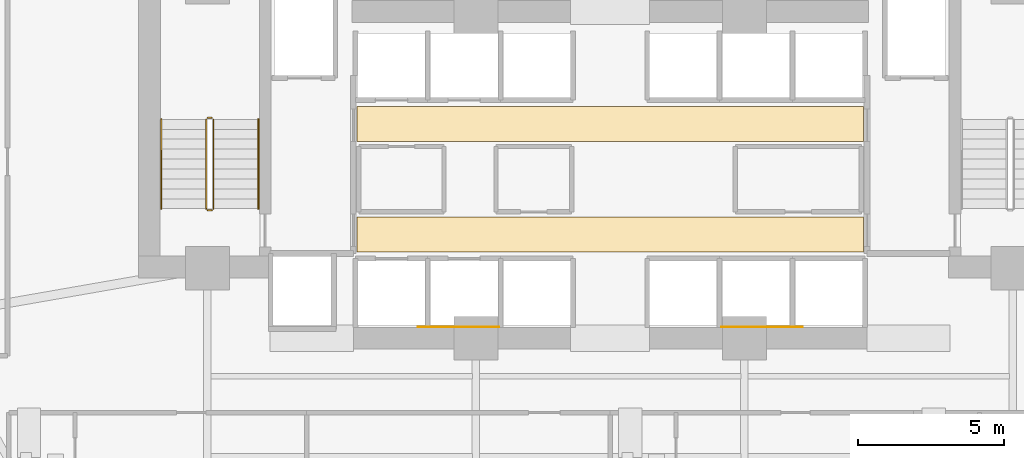
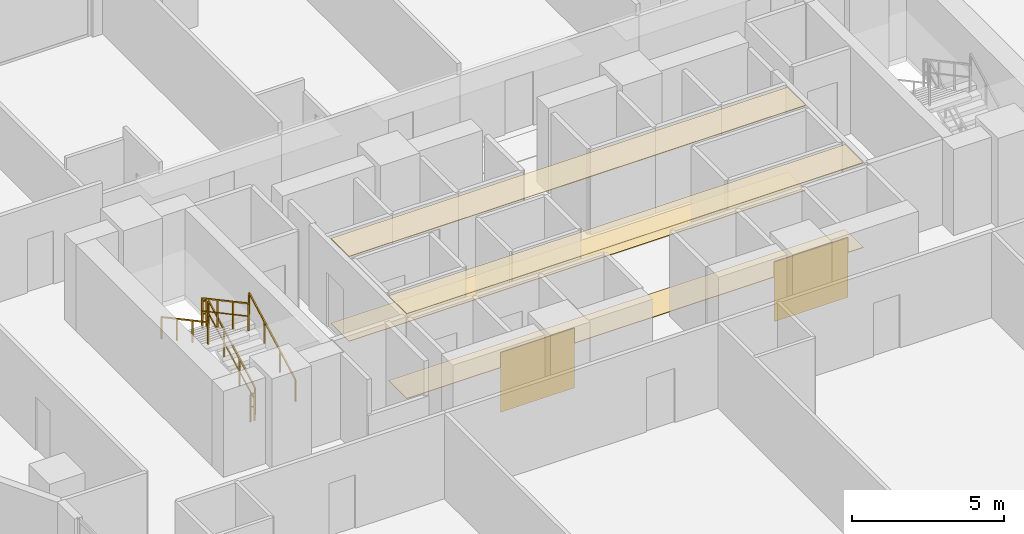
# One storey, part 26 of 29: 6 coverings, 6 railings.
"""IFC4 building model written with IfcOpenShell, lengths in metres."""

from ifc_helpers import new_model, si_unit, direction, frame, origin, origin_2d, place, context, subcontext, project, spatial, polyline, rectangle, outline, extrude, material, layer, layer_set, type_object, element, save


model = new_model("IFC4")

# Units and contexts
model_context = context("Model", 3, precision=1e-05, world=origin(), true_north=direction((0.0, 1.0)))
body_context = subcontext(model_context, "Body", "Model", "MODEL_VIEW")
ifc_project = project(units=[si_unit("LENGTHUNIT", "METRE"), si_unit("AREAUNIT", "SQUARE_METRE"), si_unit("VOLUMEUNIT", "CUBIC_METRE"), si_unit("PLANEANGLEUNIT", "RADIAN"), si_unit("MASSUNIT", "GRAM", prefix="KILO")], contexts=[model_context])

# Site, building, storey
site_placement = place(None, origin())
site = spatial("IfcSite", under=ifc_project, at=site_placement, CompositionType="ELEMENT")
building_placement = place(site_placement, origin())
building = spatial("IfcBuilding", under=site, at=building_placement, Name="Zuhayl Quay Hotel", CompositionType="ELEMENT")
storey_placement = place(building_placement, frame((0.0, 0.0, 132.14990234375)))
storey = spatial("IfcBuildingStorey", under=building, at=storey_placement, Name="L33", CompositionType="ELEMENT", Elevation=132.14990234375)

# Coverings
ifc_material_1 = material(Name="Acoustic Mineral-Fibre Gypsum Board")
ifc_layer_1 = layer(ifc_material_1, 0.02490234375, Name="Acoustic Mineral-Fibre Gypsum Board")
ifc_layer_set_1 = layer_set([ifc_layer_1], Name="Acoustic Mineral-Fibre Gypsum Board")
covering_type_1 = type_object("IfcCoveringType", Name="CV_CEIL_ACOUSTIC", PredefinedType="CEILING", material=ifc_layer_set_1)
covering_1_placement = place(storey_placement, frame((0.0, 0.0, 3.405029296875)))
element("IfcCovering", 1, at=covering_1_placement, inside=storey, type_object=covering_type_1, Name="L33 Suspended Acoustic Lobby Ceiling S", PredefinedType="CEILING", context=body_context, shape_type="SweptSolid", body=[
    extrude(outline(polyline([(-8.679931640625, 5.10009765625), (8.679931640625, 5.10009765625), (8.679931640625, 6.300048828125), (-8.679931640625, 6.300048828125), (-8.679931640625, 5.10009765625)])), origin(), (0.0, 0.0, 1.0), 0.025146484375),
])
covering_2_placement = place(storey_placement, frame((0.0, 0.0, 3.405029296875)))
element("IfcCovering", 2, at=covering_2_placement, inside=storey, type_object=covering_type_1, Name="L33 Suspended Acoustic Lobby Ceiling N", PredefinedType="CEILING", context=body_context, shape_type="SweptSolid", body=[
    extrude(outline(polyline([(-8.679931640625, 8.89990234375), (8.679931640625, 8.89990234375), (8.679931640625, 10.10009765625), (-8.679931640625, 10.10009765625), (-8.679931640625, 8.89990234375)])), origin(), (0.0, 0.0, 1.0), 0.025146484375),
])
ifc_material_2 = material(Name="Polished Limestone Terrazzo", Category="masonry")
ifc_layer_2 = layer(ifc_material_2, 0.02001953125, Name="Polished Limestone Terrazzo", Category="masonry")
ifc_layer_set_2 = layer_set([ifc_layer_2], Name="Polished Limestone Terrazzo")
covering_type_2 = type_object("IfcCoveringType", Name="CV_FLOOR_TERRAZZO", PredefinedType="FLOORING", material=ifc_layer_set_2)
covering_3_placement = place(storey_placement, origin())
element("IfcCovering", 3, at=covering_3_placement, inside=storey, type_object=covering_type_2, Name="L33 Honed Limestone Terrazzo Lobby Flooring S", PredefinedType="FLOORING", context=body_context, shape_type="SweptSolid", body=[
    extrude(outline(polyline([(-8.679931640625, 5.10009765625), (8.679931640625, 5.10009765625), (8.679931640625, 6.300048828125), (-8.679931640625, 6.300048828125), (-8.679931640625, 5.10009765625)])), origin(), (0.0, 0.0, 1.0), 0.02001953125),
])
covering_4_placement = place(storey_placement, origin())
element("IfcCovering", 4, at=covering_4_placement, inside=storey, type_object=covering_type_2, Name="L33 Honed Limestone Terrazzo Lobby Flooring N", PredefinedType="FLOORING", context=body_context, shape_type="SweptSolid", body=[
    extrude(outline(polyline([(-8.679931640625, 8.89990234375), (8.679931640625, 8.89990234375), (8.679931640625, 10.10009765625), (-8.679931640625, 10.10009765625), (-8.679931640625, 8.89990234375)])), origin(), (0.0, 0.0, 1.0), 0.02001953125),
])
ifc_material_3 = material(Name="Acoustic Walnut Feature Timber", Category="wood")
ifc_layer_3 = layer(ifc_material_3, 0.02197265625, Name="Acoustic Walnut Feature Timber", Category="wood")
ifc_layer_set_3 = layer_set([ifc_layer_3], Name="Acoustic Walnut Feature Timber")
covering_type_3 = type_object("IfcCoveringType", Name="CV_WALL_CLAD", PredefinedType="CLADDING", material=ifc_layer_set_3)
for number, where, z_axis, x_axis, name in (
    (5, (-5.199951171875, 2.535888671875, 0.300048828125), (0.0, 0.0, 1.0), (1.0, 0.0, 0.0), "L33 Feature Lobby Walnut Wall Cladding W"),
    (6, (5.199951171875, 2.535888671875, 0.300048828125), (0.0, 0.0, 1.0), (1.0, 0.0, 0.0), "L33 Feature Lobby Walnut Wall Cladding E"),
):
    element("IfcCovering", number, at=place(storey_placement, frame(where, z_axis=z_axis, x_axis=x_axis)), inside=storey, type_object=covering_type_3, Name=name, PredefinedType="CLADDING", context=body_context, shape_type="SweptSolid", body=[
        extrude(rectangle(XDim=2.800048828125, YDim=0.02197265625, at=origin_2d()), origin(), (0.0, 0.0, 1.0), 2.39990234375),
    ])

# Railings
ifc_material_4 = material(Name="Steel ASTM A992 Grade 50", Category="steel")
railing_type_1 = type_object("IfcRailingType", Name="RL_GUARD_1100", PredefinedType="GUARDRAIL", material=ifc_material_4)
railing_1_placement = place(storey_placement, frame((-13.590087890625, 6.590087890625, 0.1826171875)))
element("IfcRailing", 7, at=railing_1_placement, inside=storey, type_object=railing_type_1, Name="L33 ST1 stair guard 1", PredefinedType="GUARDRAIL", context=body_context, shape_type="SweptSolid", body=[
    extrude(rectangle(XDim=0.048095703125, YDim=0.048095703125, at=origin_2d()), frame((0.0, 0.0, 1.09619140625), z_axis=(0.0, 0.88107310026, 0.472980117973), x_axis=(-1.0, 0.0, 0.0)), (0.0, 0.0, 1.0), 3.472900390625),
    extrude(rectangle(XDim=0.0361328125, YDim=0.0361328125, at=origin_2d()), frame((0.0, 0.0, 0.58251953125), z_axis=(0.0, 0.88107310026, 0.472980117973), x_axis=(-1.0, 0.0, 0.0)), (0.0, 0.0, 1.0), 3.472900390625),
    extrude(rectangle(XDim=0.0419921875, YDim=0.0419921875, at=origin_2d()), origin(), (0.0, 0.0, 1.0), 1.072021484375),
    extrude(rectangle(XDim=0.0419921875, YDim=0.0419921875, at=origin_2d()), frame((0.0, 1.02001953125, 0.547607421875)), (0.0, 0.0, 1.0), 1.072021484375),
    extrude(rectangle(XDim=0.0419921875, YDim=0.0419921875, at=origin_2d()), frame((0.0, 2.039794921875, 1.094970703125)), (0.0, 0.0, 1.0), 1.072021484375),
    extrude(rectangle(XDim=0.0419921875, YDim=0.0419921875, at=origin_2d()), frame((0.0, 3.059814453125, 1.642578125)), (0.0, 0.0, 1.0), 1.072021484375),
])
railing_2_placement = place(storey_placement, frame((-13.639892578125, 9.699951171875, 1.8251953125)))
element("IfcRailing", 8, at=railing_2_placement, inside=storey, type_object=railing_type_1, Name="L33 ST1 stair guard 2", PredefinedType="GUARDRAIL", context=body_context, shape_type="SweptSolid", body=[
    extrude(rectangle(XDim=0.048095703125, YDim=0.048095703125, at=origin_2d()), frame((0.0, 0.0, 1.09619140625), z_axis=(-1.0, 0.0, 0.0), x_axis=(0.0, -1.0, 0.0)), (0.0, 0.0, 1.0), 0.150146484375),
    extrude(rectangle(XDim=0.0361328125, YDim=0.0361328125, at=origin_2d()), frame((0.0, 0.0, 0.58251953125), z_axis=(-1.0, 0.0, 0.0), x_axis=(0.0, -1.0, 0.0)), (0.0, 0.0, 1.0), 0.150146484375),
    extrude(rectangle(XDim=0.0419921875, YDim=0.0419921875, at=origin_2d()), origin(), (0.0, 0.0, 1.0), 1.072021484375),
    extrude(rectangle(XDim=0.0419921875, YDim=0.0419921875, at=origin_2d()), frame((-0.150146484375, 0.0, 0.0)), (0.0, 0.0, 1.0), 1.072021484375),
])
railing_3_placement = place(storey_placement, frame((-13.840087890625, 9.64990234375, 2.007568359375)))
element("IfcRailing", 9, at=railing_3_placement, inside=storey, type_object=railing_type_1, Name="L33 ST1 stair guard 3", PredefinedType="GUARDRAIL", context=body_context, shape_type="SweptSolid", body=[
    extrude(rectangle(XDim=0.048095703125, YDim=0.048095703125, at=origin_2d()), frame((0.0, 0.0, 1.09619140625), z_axis=(0.0, -0.88107310026, 0.472980117973), x_axis=(1.0, 0.0, 0.0)), (0.0, 0.0, 1.0), 3.472900390625),
    extrude(rectangle(XDim=0.0361328125, YDim=0.0361328125, at=origin_2d()), frame((0.0, 0.0, 0.58251953125), z_axis=(0.0, -0.88107310026, 0.472980117973), x_axis=(1.0, 0.0, 0.0)), (0.0, 0.0, 1.0), 3.472900390625),
    extrude(rectangle(XDim=0.0419921875, YDim=0.0419921875, at=origin_2d()), origin(), (0.0, 0.0, 1.0), 1.072021484375),
    extrude(rectangle(XDim=0.0419921875, YDim=0.0419921875, at=origin_2d()), frame((0.0, -1.02001953125, 0.547607421875)), (0.0, 0.0, 1.0), 1.072021484375),
    extrude(rectangle(XDim=0.0419921875, YDim=0.0419921875, at=origin_2d()), frame((0.0, -2.039794921875, 1.094970703125)), (0.0, 0.0, 1.0), 1.072021484375),
    extrude(rectangle(XDim=0.0419921875, YDim=0.0419921875, at=origin_2d()), frame((0.0, -3.059814453125, 1.642578125)), (0.0, 0.0, 1.0), 1.072021484375),
])
railing_4_placement = place(storey_placement, frame((-13.639892578125, 6.5400390625, 0.0)))
element("IfcRailing", 10, at=railing_4_placement, inside=storey, type_object=railing_type_1, Name="L33 ST1 stair guard 4", PredefinedType="GUARDRAIL", context=body_context, shape_type="SweptSolid", body=[
    extrude(rectangle(XDim=0.048095703125, YDim=0.048095703125, at=origin_2d()), frame((0.0, 0.0, 1.09619140625), z_axis=(-1.0, 0.0, 0.0), x_axis=(0.0, -1.0, 0.0)), (0.0, 0.0, 1.0), 0.150146484375),
    extrude(rectangle(XDim=0.0361328125, YDim=0.0361328125, at=origin_2d()), frame((0.0, 0.0, 0.58251953125), z_axis=(-1.0, 0.0, 0.0), x_axis=(0.0, -1.0, 0.0)), (0.0, 0.0, 1.0), 0.150146484375),
    extrude(rectangle(XDim=0.0419921875, YDim=0.0419921875, at=origin_2d()), origin(), (0.0, 0.0, 1.0), 1.072021484375),
    extrude(rectangle(XDim=0.0419921875, YDim=0.0419921875, at=origin_2d()), frame((-0.150146484375, 0.0, 0.0)), (0.0, 0.0, 1.0), 1.072021484375),
])
railing_type_2 = type_object("IfcRailingType", Name="RL_HANDRAIL_920", PredefinedType="HANDRAIL", material=ifc_material_4)
railing_5_placement = place(storey_placement, frame((-12.050048828125, 6.590087890625, 0.1826171875)))
element("IfcRailing", 11, at=railing_5_placement, inside=storey, type_object=railing_type_2, Name="L33 ST1 stair handrail 1", PredefinedType="HANDRAIL", context=body_context, shape_type="SweptSolid", body=[
    extrude(rectangle(XDim=0.048095703125, YDim=0.048095703125, at=origin_2d()), frame((0.0, 0.0, 0.8759765625), z_axis=(0.0, 0.88107310026, 0.472980117973), x_axis=(-1.0, 0.0, 0.0)), (0.0, 0.0, 1.0), 3.472900390625),
    extrude(rectangle(XDim=0.0419921875, YDim=0.0419921875, at=origin_2d()), origin(), (0.0, 0.0, 1.0), 0.851806640625),
    extrude(rectangle(XDim=0.0419921875, YDim=0.0419921875, at=origin_2d()), frame((0.0, 1.02001953125, 0.547607421875)), (0.0, 0.0, 1.0), 0.851806640625),
    extrude(rectangle(XDim=0.0419921875, YDim=0.0419921875, at=origin_2d()), frame((0.0, 2.039794921875, 1.094970703125)), (0.0, 0.0, 1.0), 0.851806640625),
    extrude(rectangle(XDim=0.0419921875, YDim=0.0419921875, at=origin_2d()), frame((0.0, 3.059814453125, 1.642578125)), (0.0, 0.0, 1.0), 0.851806640625),
])
railing_6_placement = place(storey_placement, frame((-15.3798828125, 9.64990234375, 2.007568359375)))
element("IfcRailing", 12, at=railing_6_placement, inside=storey, type_object=railing_type_2, Name="L33 ST1 stair handrail 2", PredefinedType="HANDRAIL", context=body_context, shape_type="SweptSolid", body=[
    extrude(rectangle(XDim=0.048095703125, YDim=0.048095703125, at=origin_2d()), frame((0.0, 0.0, 0.8759765625), z_axis=(0.0, -0.88107310026, 0.472980117973), x_axis=(1.0, 0.0, 0.0)), (0.0, 0.0, 1.0), 3.472900390625),
    extrude(rectangle(XDim=0.0419921875, YDim=0.0419921875, at=origin_2d()), origin(), (0.0, 0.0, 1.0), 0.851806640625),
    extrude(rectangle(XDim=0.0419921875, YDim=0.0419921875, at=origin_2d()), frame((0.0, -1.02001953125, 0.547607421875)), (0.0, 0.0, 1.0), 0.851806640625),
    extrude(rectangle(XDim=0.0419921875, YDim=0.0419921875, at=origin_2d()), frame((0.0, -2.039794921875, 1.094970703125)), (0.0, 0.0, 1.0), 0.851806640625),
    extrude(rectangle(XDim=0.0419921875, YDim=0.0419921875, at=origin_2d()), frame((0.0, -3.059814453125, 1.642578125)), (0.0, 0.0, 1.0), 0.851806640625),
])

save(model, "model.ifc")
